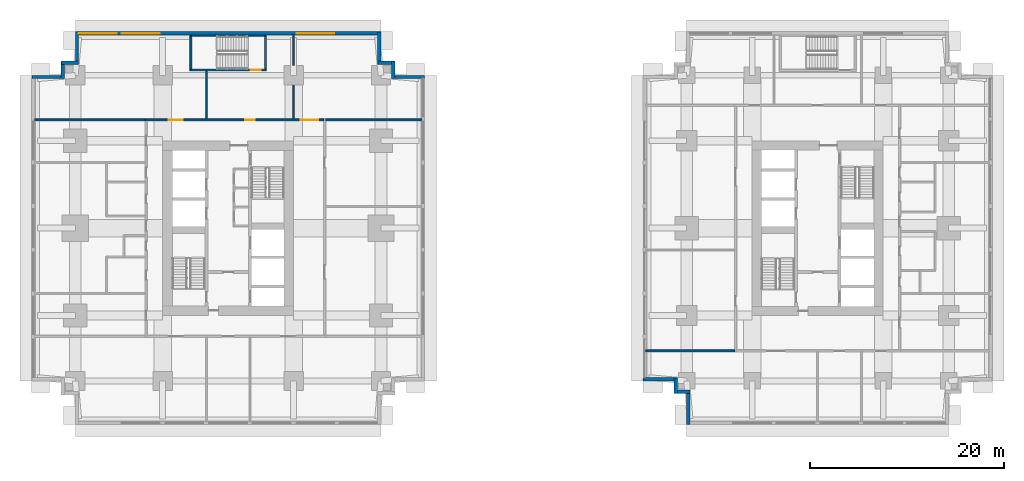
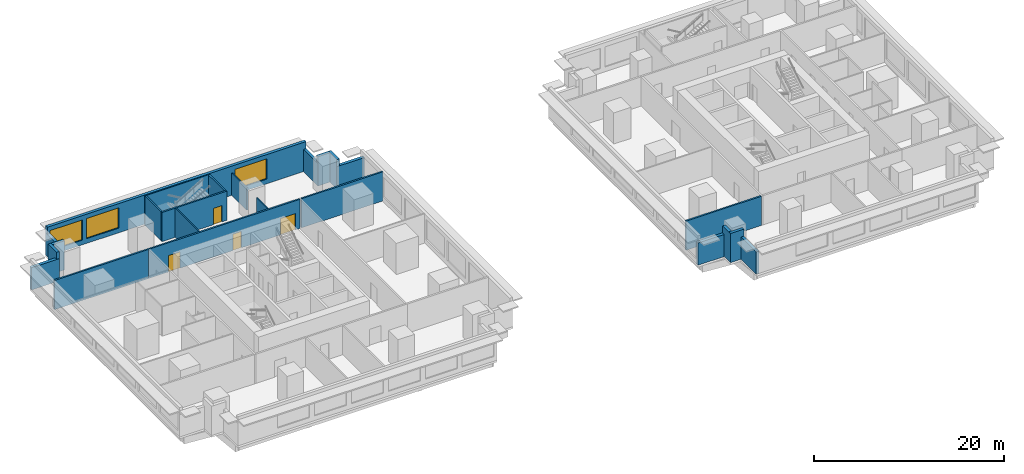
# One storey, part 5 of 11: 24 walls, 4 doors, 3 windows, 7 openings.
"""IFC4 building model written with IfcOpenShell, lengths in metres."""

from ifc_helpers import new_model, si_unit, direction, frame, frame_2d, origin, place, context, subcontext, project, spatial, rectangle, extrude, material, layer, layer_set, type_object, element, fill, save


model = new_model("IFC4")

# Units and contexts
model_context = context("Model", 3, precision=1e-05, world=origin(), true_north=direction((0.0, 1.0)))
body_context = subcontext(model_context, "Body", "Model", "MODEL_VIEW")
ifc_project = project(units=[si_unit("LENGTHUNIT", "METRE"), si_unit("AREAUNIT", "SQUARE_METRE"), si_unit("VOLUMEUNIT", "CUBIC_METRE"), si_unit("PLANEANGLEUNIT", "RADIAN"), si_unit("MASSUNIT", "GRAM", prefix="KILO")], contexts=[model_context])

# Site, building, storey
site_placement = place(None, origin())
site = spatial("IfcSite", under=ifc_project, at=site_placement, CompositionType="ELEMENT")
building_placement = place(site_placement, origin())
building = spatial("IfcBuilding", under=site, at=building_placement, Name="Namib Vertical Campus", CompositionType="ELEMENT")
storey_placement = place(building_placement, frame((0.0, 0.0, 65.0)))
storey = spatial("IfcBuildingStorey", under=building, at=storey_placement, Name="L15", CompositionType="ELEMENT", Elevation=65.0)

# Wall, openings, doors
ifc_material_1 = material(Name="Concrete masonry", Category="masonry")
ifc_layer_1 = layer(ifc_material_1, 0.199951171875)
ifc_layer_set_1 = layer_set([ifc_layer_1], Name="Corridor wall 200")
wall_type_1 = type_object("IfcWallType", Name="Corridor wall 200", PredefinedType="SOLIDWALL", material=ifc_layer_set_1)
wall_1_placement = place(storey_placement, frame((30.10009765625, 31.39990234375, 0.0), z_axis=(0.0, 0.0, 1.0), x_axis=(-1.0, 0.0, 0.0)))
wall_1 = element("IfcWall", 1, at=wall_1_placement, inside=storey, type_object=wall_type_1, Name="Corridor wall A L15 CN", PredefinedType="SOLIDWALL", context=body_context, shape_type="SweptSolid", body=[
    extrude(rectangle(XDim=18.400146484375, YDim=0.199951171875, at=frame_2d((9.2001953125, 0.0))), origin(), (0.0, 0.0, 1.0), 3.75),
])
opening_1_placement = place(wall_1_placement, frame((14.550048828125, 0.0, 0.0)))
opening_1 = element("IfcOpeningElement", 2, at=opening_1_placement, cuts=wall_1, Name="Opening LB1", PredefinedType="OPENING", context=body_context, shape_type="SweptSolid", body=[
    extrude(rectangle(XDim=1.39990234375, YDim=2.10009765625, at=frame_2d((0.699951171875, 1.050048828125))), frame((0.0, 0.10986328125, 0.0), z_axis=(0.0, -1.0, 0.0), x_axis=(1.0, 0.0, 0.0)), (0.0, 0.0, 1.0), 0.219970703125),
])
opening_2_placement = place(wall_1_placement, frame((7.10009765625, 0.0, 0.0)))
opening_2 = element("IfcOpeningElement", 3, at=opening_2_placement, cuts=wall_1, Name="Opening CD4", PredefinedType="OPENING", context=body_context, shape_type="SweptSolid", body=[
    extrude(rectangle(XDim=1.0, YDim=2.10009765625, at=frame_2d((0.5, 1.050048828125))), frame((0.0, 0.10986328125, 0.0), z_axis=(0.0, -1.0, 0.0), x_axis=(1.0, 0.0, 0.0)), (0.0, 0.0, 1.0), 0.219970703125),
])
opening_3_placement = place(wall_1_placement, frame((0.550048828125, 0.0, 0.0)))
opening_3 = element("IfcOpeningElement", 4, at=opening_3_placement, cuts=wall_1, Name="Opening CD2", PredefinedType="OPENING", context=body_context, shape_type="SweptSolid", body=[
    extrude(rectangle(XDim=1.800048828125, YDim=2.10009765625, at=frame_2d((0.89990234375, 1.050048828125))), frame((0.0, 0.10986328125, 0.0), z_axis=(0.0, -1.0, 0.0), x_axis=(1.0, 0.0, 0.0)), (0.0, 0.0, 1.0), 0.219970703125),
])
ifc_material_2 = material(Name="Timber fire door leaf", Category="wood")
door_type_1 = type_object("IfcDoorType", Name="Corridor door 1000x2100 20 min double-acting", OperationType="DOUBLE_SWING_LEFT", PredefinedType="DOOR", material=ifc_material_2)
door_1_placement = place(opening_2_placement, origin())
door_1 = element("IfcDoor", 5, at=door_1_placement, inside=storey, type_object=door_type_1, Name="Door CD4 A15-07", OperationType="DOUBLE_SWING_LEFT", OverallHeight=2.10009765625, OverallWidth=1.0, PredefinedType="DOOR", context=body_context, shape_type="SweptSolid", body=[
    extrude(rectangle(XDim=1.0, YDim=2.10009765625, at=frame_2d((0.5, 1.050048828125))), frame((0.0, 0.02490234375, 0.0), z_axis=(0.0, -1.0, 0.0), x_axis=(1.0, 0.0, 0.0)), (0.0, 0.0, 1.0), 0.050048828125),
])
fill(opening_2, door_1)
ifc_material_3 = material(Name="Timber fire door leaf", Category="wood")
door_type_2 = type_object("IfcDoorType", Name="Corridor door double 1800x2100 20 min", OperationType="DOUBLE_DOOR_SINGLE_SWING", PredefinedType="DOOR", material=ifc_material_3)
door_2_placement = place(opening_3_placement, frame((1.800048828125, 0.0, 0.0), z_axis=(0.0, 0.0, 1.0), x_axis=(-1.0, 0.0, 0.0)))
door_2 = element("IfcDoor", 6, at=door_2_placement, inside=storey, type_object=door_type_2, Name="Door CD2 A15-08", OperationType="DOUBLE_DOOR_SINGLE_SWING", OverallHeight=2.10009765625, OverallWidth=1.800048828125, PredefinedType="DOOR", context=body_context, shape_type="SweptSolid", body=[
    extrude(rectangle(XDim=1.800048828125, YDim=2.10009765625, at=frame_2d((0.89990234375, 1.050048828125))), frame((0.0, 0.02490234375, 0.0), z_axis=(0.0, -1.0, 0.0), x_axis=(1.0, 0.0, 0.0)), (0.0, 0.0, 1.0), 0.050048828125),
])
fill(opening_3, door_2)
ifc_material_4 = material(Name="Timber fire door leaf", Category="wood")
door_type_3 = type_object("IfcDoorType", Name="Laboratory door 1400x2100 leaf and a half", OperationType="DOUBLE_DOOR_SINGLE_SWING", PredefinedType="DOOR", material=ifc_material_4)
door_3_placement = place(opening_1_placement, frame((1.39990234375, 0.0, 0.0), z_axis=(0.0, 0.0, 1.0), x_axis=(-1.0, 0.0, 0.0)))
door_3 = element("IfcDoor", 7, at=door_3_placement, inside=storey, type_object=door_type_3, Name="Door LB1 A15-06", OperationType="DOUBLE_DOOR_SINGLE_SWING", OverallHeight=2.10009765625, OverallWidth=1.39990234375, PredefinedType="DOOR", context=body_context, shape_type="SweptSolid", body=[
    extrude(rectangle(XDim=1.39990234375, YDim=2.10009765625, at=frame_2d((0.699951171875, 1.050048828125))), frame((0.0, 0.02490234375, 0.0), z_axis=(0.0, -1.0, 0.0), x_axis=(1.0, 0.0, 0.0)), (0.0, 0.0, 1.0), 0.050048828125),
])
fill(opening_1, door_3)

# Walls
wall_2_placement = place(storey_placement, frame((0.300048828125, 31.39990234375, 0.0), z_axis=(0.0, 0.0, 1.0), x_axis=(1.0, 0.0, 0.0)))
element("IfcWall", 8, at=wall_2_placement, inside=storey, type_object=wall_type_1, Name="Partition A L15 BNW", PredefinedType="SOLIDWALL", context=body_context, shape_type="SweptSolid", body=[
    extrude(rectangle(XDim=11.39990234375, YDim=0.199951171875, at=frame_2d((5.699951171875, 0.0))), origin(), (0.0, 0.0, 1.0), 3.75),
])
wall_3_placement = place(storey_placement, frame((30.300048828125, 31.39990234375, 0.0), z_axis=(0.0, 0.0, 1.0), x_axis=(1.0, 0.0, 0.0)))
element("IfcWall", 9, at=wall_3_placement, inside=storey, type_object=wall_type_1, Name="Partition A L15 BNE", PredefinedType="SOLIDWALL", context=body_context, shape_type="SweptSolid", body=[
    extrude(rectangle(XDim=9.89990234375, YDim=0.199951171875, at=frame_2d((4.949951171875, 0.0))), origin(), (0.0, 0.0, 1.0), 3.75),
])
wall_4_placement = place(storey_placement, frame((63.300048828125, 7.60009765625, 0.0), z_axis=(0.0, 0.0, 1.0), x_axis=(1.0, 0.0, 0.0)))
element("IfcWall", 10, at=wall_4_placement, inside=storey, type_object=wall_type_1, Name="Partition B L15 BSW", PredefinedType="SOLIDWALL", context=body_context, shape_type="SweptSolid", body=[
    extrude(rectangle(XDim=9.14990234375, YDim=0.199951171875, at=frame_2d((4.574951171875, 0.0))), origin(), (0.0, 0.0, 1.0), 3.75),
])
ifc_material_5 = material(Name="Concrete C40/50", Category="concrete")
ifc_layer_2 = layer(ifc_material_5, 0.35009765625)
ifc_layer_set_2 = layer_set([ifc_layer_2], Name="Concrete C40/50")
wall_type_2 = type_object("IfcWallType", Name="External wall 350 bush-hammered concrete", PredefinedType="STANDARD", material=ifc_layer_set_2)
wall_5_placement = place(storey_placement, frame((40.47998046875, 35.824951171875, 0.0), z_axis=(0.0, 0.0, 1.0), x_axis=(-1.0, 0.0, 0.0)))
element("IfcWall", 11, at=wall_5_placement, inside=storey, type_object=wall_type_2, Name="External wall L15 F07", PredefinedType="STANDARD", context=body_context, shape_type="SweptSolid", body=[
    extrude(rectangle(XDim=3.35986328125, YDim=0.35009765625, at=frame_2d((1.679931640625, 0.0))), origin(), (0.0, 0.0, 1.0), 2.85009765625),
])
for number, where, z_axis, x_axis, name in (
    (12, (37.27490234375, 35.669921875, 0.0), (0.0, 0.0, 1.0), (0.0, 1.0, 0.0), "External wall L15 F08"),
    (13, (37.429931640625, 37.27490234375, 0.0), (0.0, 0.0, 1.0), (-1.0, 0.0, 0.0), "External wall L15 F09"),
):
    element("IfcWall", number, at=place(storey_placement, frame(where, z_axis=z_axis, x_axis=x_axis)), inside=storey, type_object=wall_type_2, Name=name, PredefinedType="STANDARD", context=body_context, shape_type="SweptSolid", body=[
        extrude(rectangle(XDim=1.760009765625, YDim=0.35009765625, at=frame_2d((0.8798828125, 0.0))), origin(), (0.0, 0.0, 1.0), 3.75),
    ])
wall_6_placement = place(storey_placement, frame((35.824951171875, 37.1201171875, 0.0), z_axis=(0.0, 0.0, 1.0), x_axis=(0.0, 1.0, 0.0)))
element("IfcWall", 14, at=wall_6_placement, inside=storey, type_object=wall_type_2, Name="External wall L15 F10", PredefinedType="STANDARD", context=body_context, shape_type="SweptSolid", body=[
    extrude(rectangle(XDim=3.35986328125, YDim=0.35009765625, at=frame_2d((1.679931640625, 0.0))), origin(), (0.0, 0.0, 1.0), 2.85009765625),
])

# Wall, openings, windows
wall_7_placement = place(storey_placement, frame((35.97998046875, 40.324951171875, 0.0), z_axis=(0.0, 0.0, 1.0), x_axis=(-1.0, 0.0, 0.0)))
wall_7 = element("IfcWall", 15, at=wall_7_placement, inside=storey, type_object=wall_type_2, Name="External wall L15 F11", PredefinedType="STANDARD", context=body_context, shape_type="SweptSolid", body=[
    extrude(rectangle(XDim=31.4599609375, YDim=0.35009765625, at=frame_2d((15.72998046875, 0.0))), origin(), (0.0, 0.0, 1.0), 3.75),
])
opening_4_placement = place(wall_7_placement, frame((27.2099609375, 0.0, 0.60009765625)))
opening_4 = element("IfcOpeningElement", 16, at=opening_4_placement, cuts=wall_7, Name="Opening W2", PredefinedType="OPENING", context=body_context, shape_type="SweptSolid", body=[
    extrude(rectangle(XDim=3.89990234375, YDim=2.60009765625, at=frame_2d((1.949951171875, 1.300048828125))), frame((0.0, 0.18505859375, 0.0), z_axis=(0.0, -1.0, 0.0), x_axis=(1.0, 0.0, 0.0)), (0.0, 0.0, 1.0), 0.3701171875),
])
opening_5_placement = place(wall_7_placement, frame((22.780029296875, 0.0, 0.60009765625)))
opening_5 = element("IfcOpeningElement", 17, at=opening_5_placement, cuts=wall_7, Name="Opening W2", PredefinedType="OPENING", context=body_context, shape_type="SweptSolid", body=[
    extrude(rectangle(XDim=3.89990234375, YDim=2.60009765625, at=frame_2d((1.949951171875, 1.300048828125))), frame((0.0, 0.18505859375, 0.0), z_axis=(0.0, -1.0, 0.0), x_axis=(1.0, 0.0, 0.0)), (0.0, 0.0, 1.0), 0.3701171875),
])
opening_6_placement = place(wall_7_placement, frame((4.780029296875, 0.0, 0.60009765625)))
opening_6 = element("IfcOpeningElement", 18, at=opening_6_placement, cuts=wall_7, Name="Opening W2", PredefinedType="OPENING", context=body_context, shape_type="SweptSolid", body=[
    extrude(rectangle(XDim=3.89990234375, YDim=2.60009765625, at=frame_2d((1.949951171875, 1.300048828125))), frame((0.0, 0.18505859375, 0.0), z_axis=(0.0, -1.0, 0.0), x_axis=(1.0, 0.0, 0.0)), (0.0, 0.0, 1.0), 0.3701171875),
])
ifc_material_6 = material(Name="Dark tinted glass in black aluminium frame", Category="aluminium")
window_type = type_object("IfcWindowType", Name="Ribbon window 3900x2600", PartitioningType="SINGLE_PANEL", PredefinedType="WINDOW", material=ifc_material_6)
window_1_placement = place(opening_4_placement, origin())
window_1 = element("IfcWindow", 19, at=window_1_placement, inside=storey, type_object=window_type, Name="Window W2 L15 F11-1", OverallHeight=2.60009765625, OverallWidth=3.89990234375, PartitioningType="SINGLE_PANEL", PredefinedType="WINDOW", context=body_context, shape_type="SweptSolid", body=[
    extrude(rectangle(XDim=3.89990234375, YDim=2.60009765625, at=frame_2d((1.949951171875, 1.300048828125))), frame((0.0, 0.030029296875, 0.0), z_axis=(0.0, -1.0, 0.0), x_axis=(1.0, 0.0, 0.0)), (0.0, 0.0, 1.0), 0.06005859375),
])
fill(opening_4, window_1)
window_2_placement = place(opening_5_placement, origin())
window_2 = element("IfcWindow", 20, at=window_2_placement, inside=storey, type_object=window_type, Name="Window W2 L15 F11-2", OverallHeight=2.60009765625, OverallWidth=3.89990234375, PartitioningType="SINGLE_PANEL", PredefinedType="WINDOW", context=body_context, shape_type="SweptSolid", body=[
    extrude(rectangle(XDim=3.89990234375, YDim=2.60009765625, at=frame_2d((1.949951171875, 1.300048828125))), frame((0.0, 0.030029296875, 0.0), z_axis=(0.0, -1.0, 0.0), x_axis=(1.0, 0.0, 0.0)), (0.0, 0.0, 1.0), 0.06005859375),
])
fill(opening_5, window_2)
window_3_placement = place(opening_6_placement, origin())
window_3 = element("IfcWindow", 21, at=window_3_placement, inside=storey, type_object=window_type, Name="Window W2 L15 F11-6", OverallHeight=2.60009765625, OverallWidth=3.89990234375, PartitioningType="SINGLE_PANEL", PredefinedType="WINDOW", context=body_context, shape_type="SweptSolid", body=[
    extrude(rectangle(XDim=3.89990234375, YDim=2.60009765625, at=frame_2d((1.949951171875, 1.300048828125))), frame((0.0, 0.030029296875, 0.0), z_axis=(0.0, -1.0, 0.0), x_axis=(1.0, 0.0, 0.0)), (0.0, 0.0, 1.0), 0.06005859375),
])
fill(opening_6, window_3)

# Walls
wall_8_placement = place(storey_placement, frame((4.675048828125, 40.47998046875, 0.0), z_axis=(0.0, 0.0, 1.0), x_axis=(0.0, -1.0, 0.0)))
element("IfcWall", 22, at=wall_8_placement, inside=storey, type_object=wall_type_2, Name="External wall L15 F12", PredefinedType="STANDARD", context=body_context, shape_type="SweptSolid", body=[
    extrude(rectangle(XDim=3.35986328125, YDim=0.35009765625, at=frame_2d((1.679931640625, 0.0))), origin(), (0.0, 0.0, 1.0), 2.85009765625),
])
for number, where, z_axis, x_axis, name in (
    (23, (4.830078125, 37.27490234375, 0.0), (0.0, 0.0, 1.0), (-1.0, 0.0, 0.0), "External wall L15 F13"),
    (24, (3.22509765625, 37.429931640625, 0.0), (0.0, 0.0, 1.0), (0.0, -1.0, 0.0), "External wall L15 F14"),
):
    element("IfcWall", number, at=place(storey_placement, frame(where, z_axis=z_axis, x_axis=x_axis)), inside=storey, type_object=wall_type_2, Name=name, PredefinedType="STANDARD", context=body_context, shape_type="SweptSolid", body=[
        extrude(rectangle(XDim=1.760009765625, YDim=0.35009765625, at=frame_2d((0.8798828125, 0.0))), origin(), (0.0, 0.0, 1.0), 3.75),
    ])
wall_9_placement = place(storey_placement, frame((3.3798828125, 35.824951171875, 0.0), z_axis=(0.0, 0.0, 1.0), x_axis=(-1.0, 0.0, 0.0)))
element("IfcWall", 25, at=wall_9_placement, inside=storey, type_object=wall_type_2, Name="External wall L15 F15", PredefinedType="STANDARD", context=body_context, shape_type="SweptSolid", body=[
    extrude(rectangle(XDim=3.35986328125, YDim=0.35009765625, at=frame_2d((1.679931640625, 0.0))), origin(), (0.0, 0.0, 1.0), 2.85009765625),
])
wall_10_placement = place(storey_placement, frame((63.02001953125, 4.675048828125, 0.0), z_axis=(0.0, 0.0, 1.0), x_axis=(1.0, 0.0, 0.0)))
element("IfcWall", 26, at=wall_10_placement, inside=storey, type_object=wall_type_2, Name="External wall L15 F17", PredefinedType="STANDARD", context=body_context, shape_type="SweptSolid", body=[
    extrude(rectangle(XDim=3.510009765625, YDim=0.35009765625, at=frame_2d((1.7548828125, 0.0))), origin(), (0.0, 0.0, 1.0), 2.85009765625),
])
for number, where, z_axis, x_axis, name in (
    (27, (66.375, 4.830078125, 0.0), (0.0, 0.0, 1.0), (0.0, -1.0, 0.0), "External wall L15 F18"),
    (28, (66.219970703125, 3.375, 0.0), (0.0, 0.0, 1.0), (1.0, 0.0, 0.0), "External wall L15 F19"),
):
    element("IfcWall", number, at=place(storey_placement, frame(where, z_axis=z_axis, x_axis=x_axis)), inside=storey, type_object=wall_type_2, Name=name, PredefinedType="STANDARD", context=body_context, shape_type="SweptSolid", body=[
        extrude(rectangle(XDim=1.610107421875, YDim=0.35009765625, at=frame_2d((0.80517578125, 0.0))), origin(), (0.0, 0.0, 1.0), 3.75),
    ])
wall_11_placement = place(storey_placement, frame((67.675048828125, 3.530029296875, 0.0), z_axis=(0.0, 0.0, 1.0), x_axis=(0.0, -1.0, 0.0)))
element("IfcWall", 29, at=wall_11_placement, inside=storey, type_object=wall_type_2, Name="External wall L15 F20", PredefinedType="STANDARD", context=body_context, shape_type="SweptSolid", body=[
    extrude(rectangle(XDim=3.510009765625, YDim=0.35009765625, at=frame_2d((1.7548828125, 0.0))), origin(), (0.0, 0.0, 1.0), 2.85009765625),
])
ifc_material_7 = material(Name="Gypsum board on steel studs", Category="steel")
ifc_layer_3 = layer(ifc_material_7, 0.14990234375)
ifc_layer_set_3 = layer_set([ifc_layer_3], Name="Gypsum board on steel studs")
wall_type_3 = type_object("IfcWallType", Name="Partition 150", PredefinedType="PARTITIONING", material=ifc_layer_set_3)
wall_12_placement = place(storey_placement, frame((18.0, 31.5, 0.0), z_axis=(0.0, 0.0, 1.0), x_axis=(0.0, 1.0, 0.0)))
element("IfcWall", 30, at=wall_12_placement, inside=storey, type_object=wall_type_3, Name="Partition A L15 PN1", PredefinedType="PARTITIONING", context=body_context, shape_type="SweptSolid", body=[
    extrude(rectangle(XDim=4.949951171875, YDim=0.14990234375, at=frame_2d((2.47509765625, 0.0))), origin(), (0.0, 0.0, 1.0), 3.75),
])
wall_13_placement = place(storey_placement, frame((27.0, 31.5, 0.0), z_axis=(0.0, 0.0, 1.0), x_axis=(0.0, 1.0, 0.0)))
element("IfcWall", 31, at=wall_13_placement, inside=storey, type_object=wall_type_3, Name="Partition A L15 PN2", PredefinedType="PARTITIONING", context=body_context, shape_type="SweptSolid", body=[
    extrude(rectangle(XDim=3.47998046875, YDim=0.14990234375, at=frame_2d((1.739990234375, 0.0))), origin(), (0.0, 0.0, 1.0), 2.85009765625),
])
wall_14_placement = place(storey_placement, frame((27.0, 37.02001953125, 0.0), z_axis=(0.0, 0.0, 1.0), x_axis=(0.0, 1.0, 0.0)))
element("IfcWall", 32, at=wall_14_placement, inside=storey, type_object=wall_type_3, Name="Partition A L15 PN2", PredefinedType="PARTITIONING", context=body_context, shape_type="SweptSolid", body=[
    extrude(rectangle(XDim=3.179931640625, YDim=0.14990234375, at=frame_2d((1.58984375, 0.0))), origin(), (0.0, 0.0, 1.0), 2.85009765625),
])
ifc_material_8 = material(Name="Concrete C40/50", Category="concrete")
ifc_layer_4 = layer(ifc_material_8, 0.14990234375)
ifc_layer_set_4 = layer_set([ifc_layer_4], Name="Concrete C40/50")
wall_type_4 = type_object("IfcWallType", Name="Stair enclosure wall RC 150", PredefinedType="SOLIDWALL", material=ifc_layer_set_4)
wall_15_placement = place(storey_placement, frame((16.300048828125, 40.074951171875, 0.0), z_axis=(0.0, 0.0, 1.0), x_axis=(1.0, 0.0, 0.0)))
element("IfcWall", 33, at=wall_15_placement, inside=storey, type_object=wall_type_4, Name="Stair enclosure wall A-S3 L15 N", PredefinedType="SOLIDWALL", context=body_context, shape_type="SweptSolid", body=[
    extrude(rectangle(XDim=7.89990234375, YDim=0.14990234375, at=frame_2d((3.949951171875, 0.0))), origin(), (0.0, 0.0, 1.0), 3.75),
])

# Wall, opening, door
ifc_material_9 = material(Name="Concrete C40/50", Category="concrete")
ifc_layer_5 = layer(ifc_material_9, 0.199951171875)
ifc_layer_set_5 = layer_set([ifc_layer_5], Name="Concrete C40/50")
wall_type_5 = type_object("IfcWallType", Name="Stair enclosure wall RC 200", PredefinedType="SOLIDWALL", material=ifc_layer_set_5)
wall_16_placement = place(storey_placement, frame((16.300048828125, 36.550048828125, 0.0), z_axis=(0.0, 0.0, 1.0), x_axis=(1.0, 0.0, 0.0)))
wall_16 = element("IfcWall", 34, at=wall_16_placement, inside=storey, type_object=wall_type_5, Name="Stair enclosure wall A-S3 L15 S", PredefinedType="SOLIDWALL", context=body_context, shape_type="SweptSolid", body=[
    extrude(rectangle(XDim=7.89990234375, YDim=0.199951171875, at=frame_2d((3.949951171875, 0.0))), origin(), (0.0, 0.0, 1.0), 3.75),
])
opening_7_placement = place(wall_16_placement, frame((6.300048828125, 0.0, 0.0)))
opening_7 = element("IfcOpeningElement", 35, at=opening_7_placement, cuts=wall_16, Name="Opening FD1", PredefinedType="OPENING", context=body_context, shape_type="SweptSolid", body=[
    extrude(rectangle(XDim=1.0, YDim=2.10009765625, at=frame_2d((0.5, 1.050048828125))), frame((0.0, 0.10986328125, 0.0), z_axis=(0.0, -1.0, 0.0), x_axis=(1.0, 0.0, 0.0)), (0.0, 0.0, 1.0), 0.219970703125),
])
ifc_material_10 = material(Name="Steel fire door", Category="steel")
door_type_4 = type_object("IfcDoorType", Name="Fire door 1000x2100", OperationType="SINGLE_SWING_RIGHT", PredefinedType="DOOR", material=ifc_material_10)
door_4_placement = place(opening_7_placement, origin())
door_4 = element("IfcDoor", 36, at=door_4_placement, inside=storey, type_object=door_type_4, Name="Stair door FD1 A L15 S3", OperationType="SINGLE_SWING_RIGHT", OverallHeight=2.10009765625, OverallWidth=1.0, PredefinedType="DOOR", context=body_context, shape_type="SweptSolid", body=[
    extrude(rectangle(XDim=1.0, YDim=2.10009765625, at=frame_2d((0.5, 1.050048828125))), frame((0.0, 0.02490234375, 0.0), z_axis=(0.0, -1.0, 0.0), x_axis=(1.0, 0.0, 0.0)), (0.0, 0.0, 1.0), 0.050048828125),
])
fill(opening_7, door_4)

# Walls
for number, where, z_axis, x_axis, name in (
    (37, (16.39990234375, 36.64990234375, 0.0), (0.0, 0.0, 1.0), (0.0, 1.0, 0.0), "Stair enclosure wall A-S3 L15 W"),
    (38, (24.10009765625, 36.64990234375, 0.0), (0.0, 0.0, 1.0), (0.0, 1.0, 0.0), "Stair enclosure wall A-S3 L15 E"),
):
    element("IfcWall", number, at=place(storey_placement, frame(where, z_axis=z_axis, x_axis=x_axis)), inside=storey, type_object=wall_type_5, Name=name, PredefinedType="SOLIDWALL", context=body_context, shape_type="SweptSolid", body=[
        extrude(rectangle(XDim=3.35009765625, YDim=0.199951171875, at=frame_2d((1.675048828125, 0.0))), origin(), (0.0, 0.0, 1.0), 3.75),
    ])

save(model, "model.ifc")
